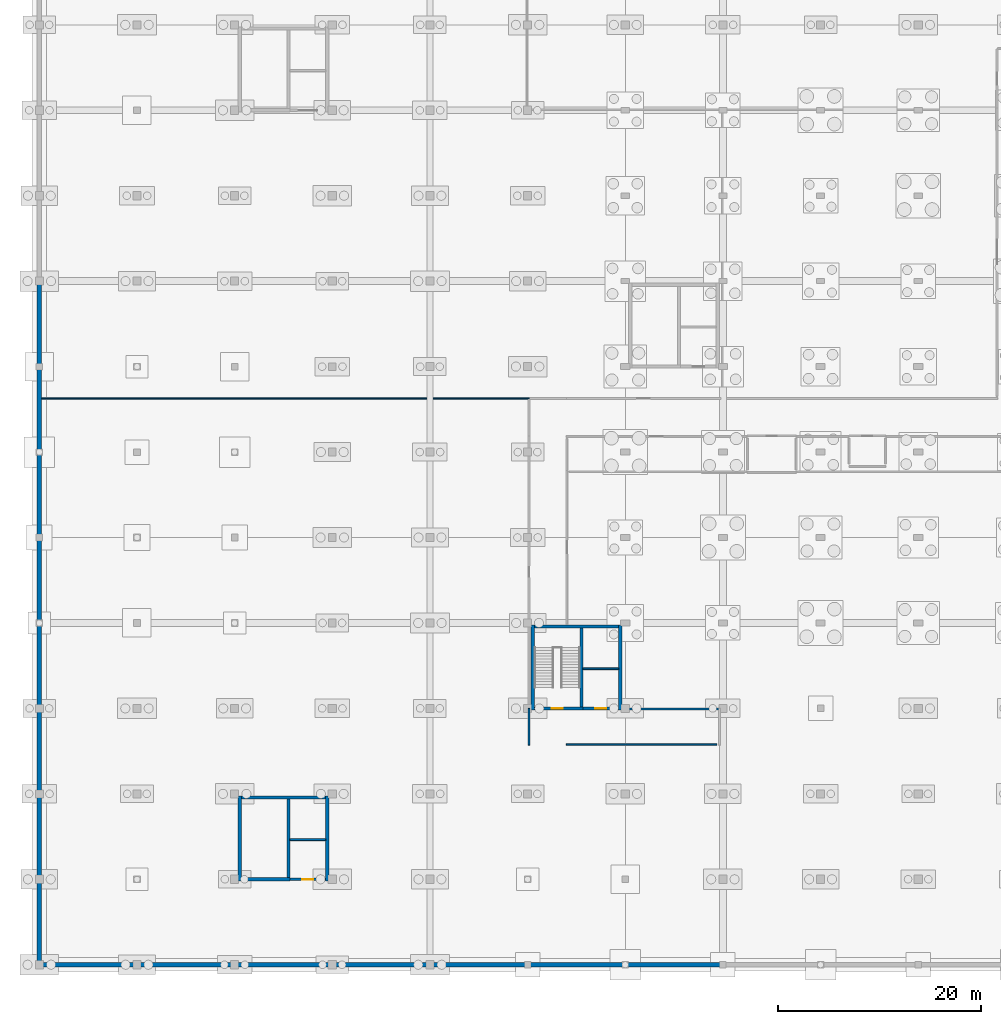
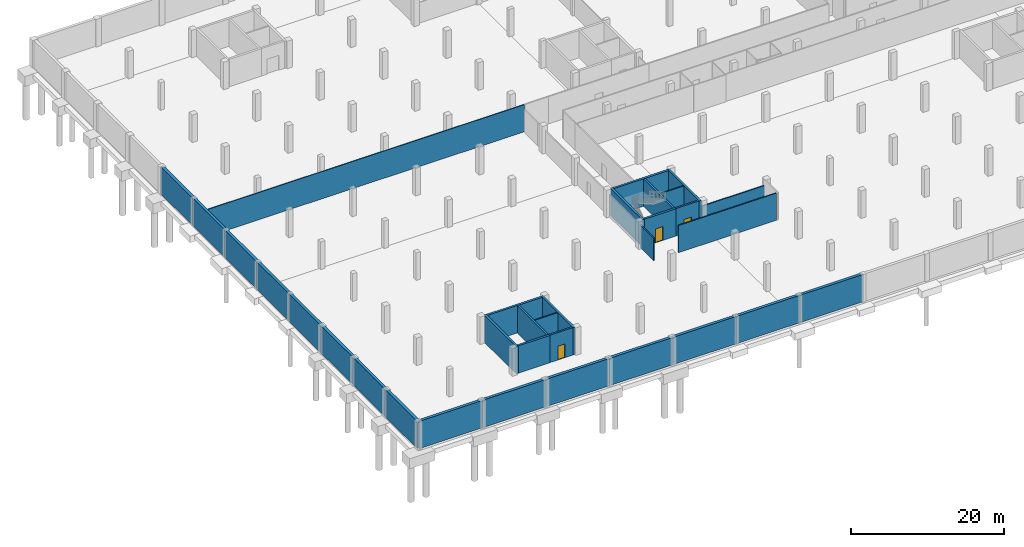
# One storey, part 17 of 26: 33 walls, 3 doors, 3 openings.
"""IFC4 building model written with IfcOpenShell, lengths in metres."""

import ifcopenshell
import ifcopenshell.guid

model = None  # the IFC model being written
_history = None  # IfcOwnerHistory: only IFC2X3 demands one
_inside = {}  # id of a spatial element -> (the spatial element, [elements in it])
_under = {}  # id of a project, library or spatial element -> (it, [spatial elements below it])
_declared = {}  # id of a project -> (the project, [libraries it declares])
_typed = {}  # id of a type object -> (the type object, [elements of that type])
_made_of = {}  # id of a material, layer set ... -> (it, [elements and type objects made of it])


def new_model(schema):
    """Start an empty IFC model of exactly this schema.

    Asked for "IFC4X3", IfcOpenShell would pick the latest addendum, in which some entities
    have other attributes; the version numbers below select the first issue.
    IFC2X3 requires an IfcOwnerHistory on every rooted entity: one is made here for all.
    """
    global model, _history
    if schema == "IFC4X3":
        model = ifcopenshell.file(schema_version=(4, 3, 0, 0))
    else:
        model = ifcopenshell.file(schema=schema)
    _inside.clear()
    _under.clear()
    _declared.clear()
    _typed.clear()
    _made_of.clear()
    _history = None
    if model.schema == "IFC2X3":
        org = make("IfcOrganization", Name="unknown")
        user = make(
            "IfcPersonAndOrganization",
            ThePerson=make("IfcPerson", FamilyName="unknown"),
            TheOrganization=org,
        )
        app = make(
            "IfcApplication",
            ApplicationDeveloper=org,
            Version="unknown",
            ApplicationFullName="unknown",
            ApplicationIdentifier="unknown",
        )
        _history = make(
            "IfcOwnerHistory",
            OwningUser=user,
            OwningApplication=app,
            ChangeAction="ADDED",
            CreationDate=0,
        )
    return model


def make(cls, **values):
    """One entity of the class cls with the attributes given. An attribute that is None is left unset."""
    return model.create_entity(
        cls, **{name: value for name, value in values.items() if value is not None}
    )


def rooted(cls, **values):
    """An entity with a GlobalId (a new one), such as an element, a storey or a relation."""
    return make(cls, GlobalId=ifcopenshell.guid.new(), OwnerHistory=_history, **values)


def si_unit(unit_type, name, prefix=None):
    """IfcSIUnit, for example si_unit("LENGTHUNIT", "METRE", prefix="MILLI")."""
    return make("IfcSIUnit", UnitType=unit_type, Prefix=prefix, Name=name)


def assignment(units):
    """IfcUnitAssignment: the units of a project."""
    return None if units is None else make("IfcUnitAssignment", Units=units)


def point(xyz):
    """IfcCartesianPoint."""
    return None if xyz is None else make("IfcCartesianPoint", Coordinates=xyz)


def direction(xyz):
    """IfcDirection."""
    return None if xyz is None else make("IfcDirection", DirectionRatios=xyz)


def frame(location, z_axis=None, x_axis=None):
    """IfcAxis2Placement3D, a coordinate frame: its origin and axes. An axis left out is left unset."""
    return make(
        "IfcAxis2Placement3D",
        Location=point(location),
        Axis=direction(z_axis),
        RefDirection=direction(x_axis),
    )


def frame_2d(location, x_axis=None):
    """IfcAxis2Placement2D, a coordinate frame in the plane: its origin and x axis."""
    return make(
        "IfcAxis2Placement2D", Location=point(location), RefDirection=direction(x_axis)
    )


def origin():
    """The frame at (0, 0, 0) with its axes left unset."""
    return frame((0.0, 0.0, 0.0))


def place(relative_to, where):
    """IfcLocalPlacement: puts the frame where relative to a parent placement (None: the world)."""
    return make(
        "IfcLocalPlacement", PlacementRelTo=relative_to, RelativePlacement=where
    )


def context(
    kind, dimensions, precision=None, world=None, true_north=None, identifier=None
):
    """IfcGeometricRepresentationContext, for example the 3D "Model" context."""
    return make(
        "IfcGeometricRepresentationContext",
        ContextIdentifier=identifier,
        ContextType=kind,
        CoordinateSpaceDimension=dimensions,
        Precision=precision,
        WorldCoordinateSystem=world,
        TrueNorth=true_north,
    )


def subcontext(parent, identifier, kind, view, scale=None):
    """IfcGeometricRepresentationSubContext, for example "Body" below "Model"."""
    return make(
        "IfcGeometricRepresentationSubContext",
        ContextIdentifier=identifier,
        ContextType=kind,
        ParentContext=parent,
        TargetScale=scale,
        TargetView=view,
    )


def project(units=None, contexts=None):
    """IfcProject with its units and contexts."""
    return rooted(
        "IfcProject",
        Name="project",
        RepresentationContexts=contexts,
        UnitsInContext=assignment(units),
    )


def spatial(cls, under=None, at=None, **own):
    """A site, building, storey or space (cls), placed at a placement, below another one or the project."""
    s = rooted(cls, ObjectPlacement=at, **own)
    if under is not None:
        _under.setdefault(under.id(), (under, []))[1].append(s)
    return s


def profile(cls, at=None, kind="AREA", **sizes):
    """A parametric profile (cls). Its sizes go by their IFC names, for example OverallWidth=200.0."""
    return make(cls, ProfileType=kind, Position=at, **sizes)


def rectangle(**sizes):
    """IfcRectangleProfileDef."""
    return profile("IfcRectangleProfileDef", **sizes)


def extrude(swept, where, along, depth):
    """IfcExtrudedAreaSolid: the profile swept, set in the frame where, extruded along a direction by depth."""
    return make(
        "IfcExtrudedAreaSolid",
        SweptArea=swept,
        Position=where,
        ExtrudedDirection=direction(along),
        Depth=depth,
    )


def shape(context_of_items, identifier, shape_type, items):
    """IfcShapeRepresentation: the items that make up one representation, for example the "Body"."""
    return make(
        "IfcShapeRepresentation",
        ContextOfItems=context_of_items,
        RepresentationIdentifier=identifier,
        RepresentationType=shape_type,
        Items=items,
    )


def material(Name=None, Category=None):
    """IfcMaterial."""
    return make("IfcMaterial", Name=Name, Category=Category)


def layer(
    of_material, thickness, ventilated=None, Name=None, Category=None, Priority=None
):
    """IfcMaterialLayer: one layer of a wall or slab, of a material (None: an air gap)."""
    return make(
        "IfcMaterialLayer",
        Material=of_material,
        LayerThickness=thickness,
        IsVentilated=ventilated,
        Name=Name,
        Category=Category,
        Priority=Priority,
    )


def layer_set(layers, Name=None):
    """IfcMaterialLayerSet."""
    return make("IfcMaterialLayerSet", MaterialLayers=layers, LayerSetName=Name)


def made_of(thing, what):
    """Note that an element or type object is made of a material, layer set ...; save() writes the relation."""
    if what is not None:
        _made_of.setdefault(what.id(), (what, []))[1].append(thing)
    return thing


def type_object(cls, material=None, **own):
    """A type object (cls), such as IfcWallType, which elements share."""
    return made_of(rooted(cls, **own), material)


def element(
    cls,
    number,
    at=None,
    inside=None,
    cuts=None,
    type_object=None,
    material=None,
    context=None,
    identifier="Body",
    shape_type=None,
    held_by="IfcProductDefinitionShape",
    body=None,
    shapes=None,
    **own,
):
    """One element of the class cls, such as IfcWall. Its Tag is "e" and its number.

    at: its placement. inside: the storey or other place that contains it. cuts: it is an
    opening in that element (IfcRelVoidsElement). A single representation is given by context,
    identifier, shape_type and body (its items); several are given by shapes. held_by: the class
    of the entity that holds the representations. save() writes the other relations.
    """
    e = rooted(cls, Tag="e%d" % number, ObjectPlacement=at, **own)
    if body is not None:
        shapes = [shape(context, identifier, shape_type, body)]
    if shapes is not None:
        e.Representation = make(held_by, Representations=shapes)
    if inside is not None:
        _inside.setdefault(inside.id(), (inside, []))[1].append(e)
    if cuts is not None:
        rooted(
            "IfcRelVoidsElement", RelatingBuildingElement=cuts, RelatedOpeningElement=e
        )
    if type_object is not None:
        _typed.setdefault(type_object.id(), (type_object, []))[1].append(e)
    return made_of(e, material)


def fill(opening, filler):
    """IfcRelFillsElement: the door or window that sits in an opening."""
    return rooted(
        "IfcRelFillsElement",
        RelatingOpeningElement=opening,
        RelatedBuildingElement=filler,
    )


def aggregate(whole, parts):
    """IfcRelAggregates: a whole, such as a stair, and the parts it consists of."""
    return rooted("IfcRelAggregates", RelatingObject=whole, RelatedObjects=parts)


def save(model, path):
    """Write the relations noted so far, then the file.

    IfcRelAggregates (storeys below a building ...), IfcRelContainedInSpatialStructure (elements
    in a storey), IfcRelDefinesByType, IfcRelAssociatesMaterial and IfcRelDeclares: one each for
    every whole, place, type object, material and project.
    """
    for whole, parts in _under.values():
        aggregate(whole, parts)
    for where, things in _inside.values():
        rooted(
            "IfcRelContainedInSpatialStructure",
            RelatedElements=things,
            RelatingStructure=where,
        )
    for kind, things in _typed.values():
        rooted("IfcRelDefinesByType", RelatedObjects=things, RelatingType=kind)
    for what, things in _made_of.values():
        rooted("IfcRelAssociatesMaterial", RelatedObjects=things, RelatingMaterial=what)
    for by, libraries in _declared.values():
        rooted("IfcRelDeclares", RelatingContext=by, RelatedDefinitions=libraries)
    model.write(path)


model = new_model("IFC4")

# Units and contexts
model_context = context("Model", 3, precision=1e-05, world=origin(), true_north=direction((0.0, 1.0)))
body_context = subcontext(model_context, "Body", "Model", "MODEL_VIEW")
ifc_project = project(units=[si_unit("LENGTHUNIT", "METRE"), si_unit("AREAUNIT", "SQUARE_METRE"), si_unit("VOLUMEUNIT", "CUBIC_METRE"), si_unit("PLANEANGLEUNIT", "RADIAN"), si_unit("MASSUNIT", "GRAM", prefix="KILO")], contexts=[model_context])

# Site, building, storey
site_placement = place(None, origin())
site = spatial("IfcSite", under=ifc_project, at=site_placement, CompositionType="ELEMENT")
building_placement = place(site_placement, origin())
building = spatial("IfcBuilding", under=site, at=building_placement, Name="Lornevale Opera House", CompositionType="ELEMENT")
storey_placement = place(building_placement, frame((0.0, 0.0, -9.60009765625)))
storey = spatial("IfcBuildingStorey", under=building, at=storey_placement, Name="B2", CompositionType="ELEMENT", Elevation=-9.60009765625)

# Walls
ifc_material_1 = material(Name="Concrete 40 MPa (CSA A23.1 C-1)", Category="concrete")
ifc_layer_1 = layer(ifc_material_1, 0.419921875)
ifc_layer_set_1 = layer_set([ifc_layer_1], Name="Concrete 40 MPa (CSA A23.1 C-1)")
wall_type_1 = type_object("IfcWallType", Name="Basement Retaining Wall 420", PredefinedType="USERDEFINED", material=ifc_layer_set_1)
wall_1_placement = place(storey_placement, frame((9.60009765625, 0.0, 0.0), z_axis=(0.0, 0.0, 1.0), x_axis=(-1.0, 0.0, 0.0)))
element("IfcWall", 1, at=wall_1_placement, inside=storey, type_object=wall_type_1, Name="Basement Escarpment Plinth Wall WL-EXT-0001", ObjectType="RETAINING WALL", PredefinedType="USERDEFINED", context=body_context, shape_type="SweptSolid", body=[
    extrude(rectangle(XDim=9.60009765625, YDim=0.419921875, at=frame_2d((4.800048828125, 0.0))), origin(), (0.0, 0.0, 1.0), 4.380126953125),
])
wall_2_placement = place(storey_placement, frame((0.0, 0.0, 0.0), z_axis=(0.0, 0.0, 1.0), x_axis=(0.0, 1.0, 0.0)))
element("IfcWall", 2, at=wall_2_placement, inside=storey, type_object=wall_type_1, Name="Basement Escarpment Plinth Wall WL-EXT-0002", ObjectType="RETAINING WALL", PredefinedType="USERDEFINED", context=body_context, shape_type="SweptSolid", body=[
    extrude(rectangle(XDim=8.39990234375, YDim=0.419921875, at=frame_2d((4.199951171875, 0.0))), origin(), (0.0, 0.0, 1.0), 4.380126953125),
])
wall_3_placement = place(storey_placement, frame((0.0, 8.39990234375, 0.0), z_axis=(0.0, 0.0, 1.0), x_axis=(0.0, 1.0, 0.0)))
element("IfcWall", 3, at=wall_3_placement, inside=storey, type_object=wall_type_1, Name="Basement Escarpment Plinth Wall WL-EXT-0003", ObjectType="RETAINING WALL", PredefinedType="USERDEFINED", context=body_context, shape_type="SweptSolid", body=[
    extrude(rectangle(XDim=8.400146484375, YDim=0.419921875, at=frame_2d((4.2001953125, 0.0))), origin(), (0.0, 0.0, 1.0), 4.380126953125),
])
wall_4_placement = place(storey_placement, frame((0.0, 16.800048828125, 0.0), z_axis=(0.0, 0.0, 1.0), x_axis=(0.0, 1.0, 0.0)))
element("IfcWall", 4, at=wall_4_placement, inside=storey, type_object=wall_type_1, Name="Basement Escarpment Plinth Wall WL-EXT-0004", ObjectType="RETAINING WALL", PredefinedType="USERDEFINED", context=body_context, shape_type="SweptSolid", body=[
    extrude(rectangle(XDim=8.39990234375, YDim=0.419921875, at=frame_2d((4.199951171875, 0.0))), origin(), (0.0, 0.0, 1.0), 4.380126953125),
])
wall_5_placement = place(storey_placement, frame((0.0, 25.199951171875, 0.0), z_axis=(0.0, 0.0, 1.0), x_axis=(0.0, 1.0, 0.0)))
element("IfcWall", 5, at=wall_5_placement, inside=storey, type_object=wall_type_1, Name="Basement Escarpment Plinth Wall WL-EXT-0005", ObjectType="RETAINING WALL", PredefinedType="USERDEFINED", context=body_context, shape_type="SweptSolid", body=[
    extrude(rectangle(XDim=8.400146484375, YDim=0.419921875, at=frame_2d((4.2001953125, 0.0))), origin(), (0.0, 0.0, 1.0), 4.380126953125),
])
for number, where, z_axis, x_axis, name in (
    (6, (0.0, 33.60009765625, 0.0), (0.0, 0.0, 1.0), (0.0, 1.0, 0.0), "Basement Escarpment Plinth Wall WL-EXT-0006"),
    (7, (0.0, 42.0, 0.0), (0.0, 0.0, 1.0), (0.0, 1.0, 0.0), "Basement Escarpment Plinth Wall WL-EXT-0007"),
):
    element("IfcWall", number, at=place(storey_placement, frame(where, z_axis=z_axis, x_axis=x_axis)), inside=storey, type_object=wall_type_1, Name=name, ObjectType="RETAINING WALL", PredefinedType="USERDEFINED", context=body_context, shape_type="SweptSolid", body=[
        extrude(rectangle(XDim=8.39990234375, YDim=0.419921875, at=frame_2d((4.199951171875, 0.0))), origin(), (0.0, 0.0, 1.0), 4.380126953125),
    ])
wall_6_placement = place(storey_placement, frame((0.0, 50.39990234375, 0.0), z_axis=(0.0, 0.0, 1.0), x_axis=(0.0, 1.0, 0.0)))
element("IfcWall", 8, at=wall_6_placement, inside=storey, type_object=wall_type_1, Name="Basement Escarpment Plinth Wall WL-EXT-0008", ObjectType="RETAINING WALL", PredefinedType="USERDEFINED", context=body_context, shape_type="SweptSolid", body=[
    extrude(rectangle(XDim=8.400146484375, YDim=0.419921875, at=frame_2d((4.2001953125, 0.0))), origin(), (0.0, 0.0, 1.0), 4.380126953125),
])
wall_7_placement = place(storey_placement, frame((0.0, 58.800048828125, 0.0), z_axis=(0.0, 0.0, 1.0), x_axis=(0.0, 1.0, 0.0)))
element("IfcWall", 9, at=wall_7_placement, inside=storey, type_object=wall_type_1, Name="Basement Escarpment Plinth Wall WL-EXT-0009", ObjectType="RETAINING WALL", PredefinedType="USERDEFINED", context=body_context, shape_type="SweptSolid", body=[
    extrude(rectangle(XDim=8.39990234375, YDim=0.419921875, at=frame_2d((4.199951171875, 0.0))), origin(), (0.0, 0.0, 1.0), 4.380126953125),
])
wall_8_placement = place(storey_placement, frame((19.199951171875, 0.0, 0.0), z_axis=(0.0, 0.0, 1.0), x_axis=(-1.0, 0.0, 0.0)))
element("IfcWall", 10, at=wall_8_placement, inside=storey, type_object=wall_type_1, Name="Basement Escarpment Plinth Wall WL-EXT-0015", ObjectType="RETAINING WALL", PredefinedType="USERDEFINED", context=body_context, shape_type="SweptSolid", body=[
    extrude(rectangle(XDim=9.599853515625, YDim=0.419921875, at=frame_2d((4.7998046875, 0.0))), origin(), (0.0, 0.0, 1.0), 4.380126953125),
])
wall_9_placement = place(storey_placement, frame((28.800048828125, 0.0, 0.0), z_axis=(0.0, 0.0, 1.0), x_axis=(-1.0, 0.0, 0.0)))
element("IfcWall", 11, at=wall_9_placement, inside=storey, type_object=wall_type_1, Name="Basement Escarpment Plinth Wall WL-EXT-0017", ObjectType="RETAINING WALL", PredefinedType="USERDEFINED", context=body_context, shape_type="SweptSolid", body=[
    extrude(rectangle(XDim=9.60009765625, YDim=0.419921875, at=frame_2d((4.800048828125, 0.0))), origin(), (0.0, 0.0, 1.0), 4.380126953125),
])
wall_10_placement = place(storey_placement, frame((38.39990234375, 0.0, 0.0), z_axis=(0.0, 0.0, 1.0), x_axis=(-1.0, 0.0, 0.0)))
element("IfcWall", 12, at=wall_10_placement, inside=storey, type_object=wall_type_1, Name="Basement Escarpment Plinth Wall WL-EXT-0019", ObjectType="RETAINING WALL", PredefinedType="USERDEFINED", context=body_context, shape_type="SweptSolid", body=[
    extrude(rectangle(XDim=9.599853515625, YDim=0.419921875, at=frame_2d((4.7998046875, 0.0))), origin(), (0.0, 0.0, 1.0), 4.380126953125),
])
for number, where, z_axis, x_axis, name in (
    (13, (48.0, 0.0, 0.0), (0.0, 0.0, 1.0), (-1.0, 0.0, 0.0), "Basement Escarpment Plinth Wall WL-EXT-0021"),
    (14, (57.60009765625, 0.0, 0.0), (0.0, 0.0, 1.0), (-1.0, 0.0, 0.0), "Basement Escarpment Plinth Wall WL-EXT-0025"),
):
    element("IfcWall", number, at=place(storey_placement, frame(where, z_axis=z_axis, x_axis=x_axis)), inside=storey, type_object=wall_type_1, Name=name, ObjectType="RETAINING WALL", PredefinedType="USERDEFINED", context=body_context, shape_type="SweptSolid", body=[
        extrude(rectangle(XDim=9.60009765625, YDim=0.419921875, at=frame_2d((4.800048828125, 0.0))), origin(), (0.0, 0.0, 1.0), 4.380126953125),
    ])
wall_11_placement = place(storey_placement, frame((67.199951171875, 0.0, 0.0), z_axis=(0.0, 0.0, 1.0), x_axis=(-1.0, 0.0, 0.0)))
element("IfcWall", 15, at=wall_11_placement, inside=storey, type_object=wall_type_1, Name="Basement Escarpment Plinth Wall WL-EXT-0027", ObjectType="RETAINING WALL", PredefinedType="USERDEFINED", context=body_context, shape_type="SweptSolid", body=[
    extrude(rectangle(XDim=9.599853515625, YDim=0.419921875, at=frame_2d((4.7998046875, 0.0))), origin(), (0.0, 0.0, 1.0), 4.380126953125),
])

# Wall, opening, door
ifc_layer_2 = layer(ifc_material_1, 0.320068359375)
ifc_layer_set_2 = layer_set([ifc_layer_2], Name="Concrete 40 MPa (CSA A23.1 C-1)")
wall_type_2 = type_object("IfcWallType", Name="Core Shear Wall 320", PredefinedType="SHEAR", material=ifc_layer_set_2)
wall_12_placement = place(storey_placement, frame((48.659912109375, 25.199951171875, 0.0), z_axis=(0.0, 0.0, 1.0), x_axis=(1.0, 0.0, 0.0)))
wall_12 = element("IfcWall", 16, at=wall_12_placement, inside=storey, type_object=wall_type_2, Name="South-West Foyer Core Core Shear Wall 320 WL-COR-0001", PredefinedType="SHEAR", context=body_context, shape_type="SweptSolid", body=[
    extrude(rectangle(XDim=4.780029296875, YDim=0.320068359375, at=frame_2d((2.39013671875, 0.0))), origin(), (0.0, 0.0, 1.0), 4.380126953125),
])
opening_1_placement = place(wall_12_placement, frame((1.68994140625, 0.0, 0.0)))
opening_1 = element("IfcOpeningElement", 17, at=opening_1_placement, cuts=wall_12, Name="Opening DR-T10", PredefinedType="OPENING", context=body_context, shape_type="SweptSolid", body=[
    extrude(rectangle(XDim=1.10009765625, YDim=2.199951171875, at=frame_2d((0.550048828125, 1.10009765625))), frame((0.0, 0.169921875, 0.0), z_axis=(0.0, -1.0, 0.0), x_axis=(1.0, 0.0, 0.0)), (0.0, 0.0, 1.0), 0.340087890625),
])
ifc_material_2 = material(Name="Painted Hollow Metal Door Steel", Category="steel")
ifc_layer_3 = layer(ifc_material_2, 2.199951171875)
ifc_layer_set_3 = layer_set([ifc_layer_3], Name="Painted Hollow Metal Door Steel")
door_type_1 = type_object("IfcDoorType", Name="Protected Exit Stair Door L 1100x2200", OperationType="NOTDEFINED", PredefinedType="DOOR", material=ifc_layer_set_3)
door_1_placement = place(opening_1_placement, origin())
door_1 = element("IfcDoor", 18, at=door_1_placement, inside=storey, type_object=door_type_1, Name="C1 Stair Door B2", OperationType="SINGLE_SWING_LEFT", OverallHeight=2.199951171875, OverallWidth=1.10009765625, PredefinedType="DOOR", context=body_context, shape_type="SweptSolid", body=[
    extrude(rectangle(XDim=1.10009765625, YDim=2.199951171875, at=frame_2d((0.550048828125, 1.10009765625))), frame((0.0, 0.02490234375, 0.0), z_axis=(0.0, -1.0, 0.0), x_axis=(1.0, 0.0, 0.0)), (0.0, 0.0, 1.0), 0.050048828125),
])
fill(opening_1, door_1)

# Walls
wall_13_placement = place(storey_placement, frame((56.93994140625, 33.239990234375, 0.0), z_axis=(0.0, 0.0, 1.0), x_axis=(-1.0, 0.0, 0.0)))
element("IfcWall", 19, at=wall_13_placement, inside=storey, type_object=wall_type_2, Name="South-West Foyer Core Core Shear Wall 320 WL-COR-0003", PredefinedType="SHEAR", context=body_context, shape_type="SweptSolid", body=[
    extrude(rectangle(XDim=8.280029296875, YDim=0.320068359375, at=frame_2d((4.14013671875, 0.0))), origin(), (0.0, 0.0, 1.0), 4.380126953125),
])
for number, where, z_axis, x_axis, name in (
    (20, (48.5, 33.39990234375, 0.0), (0.0, 0.0, 1.0), (0.0, -1.0, 0.0), "South-West Foyer Core Core Shear Wall 320 WL-COR-0004"),
    (21, (57.10009765625, 25.0400390625, 0.0), (0.0, 0.0, 1.0), (0.0, 1.0, 0.0), "South-West Foyer Core Core Shear Wall 320 WL-COR-0005"),
):
    element("IfcWall", number, at=place(storey_placement, frame(where, z_axis=z_axis, x_axis=x_axis)), inside=storey, type_object=wall_type_2, Name=name, PredefinedType="SHEAR", context=body_context, shape_type="SweptSolid", body=[
        extrude(rectangle(XDim=8.35986328125, YDim=0.320068359375, at=frame_2d((4.179931640625, 0.0))), origin(), (0.0, 0.0, 1.0), 4.380126953125),
    ])
wall_14_placement = place(storey_placement, frame((19.860107421875, 8.39990234375, 0.0), z_axis=(0.0, 0.0, 1.0), x_axis=(1.0, 0.0, 0.0)))
element("IfcWall", 22, at=wall_14_placement, inside=storey, type_object=wall_type_2, Name="Chamber Pavilion Core Core Shear Wall 320 WL-COR-0078", PredefinedType="SHEAR", context=body_context, shape_type="SweptSolid", body=[
    extrude(rectangle(XDim=4.77978515625, YDim=0.320068359375, at=frame_2d((2.389892578125, 0.0))), origin(), (0.0, 0.0, 1.0), 4.380126953125),
])
wall_15_placement = place(storey_placement, frame((28.139892578125, 16.43994140625, 0.0), z_axis=(0.0, 0.0, 1.0), x_axis=(-1.0, 0.0, 0.0)))
element("IfcWall", 23, at=wall_15_placement, inside=storey, type_object=wall_type_2, Name="Chamber Pavilion Core Core Shear Wall 320 WL-COR-0080", PredefinedType="SHEAR", context=body_context, shape_type="SweptSolid", body=[
    extrude(rectangle(XDim=8.27978515625, YDim=0.320068359375, at=frame_2d((4.139892578125, 0.0))), origin(), (0.0, 0.0, 1.0), 4.380126953125),
])
for number, where, z_axis, x_axis, name in (
    (24, (19.699951171875, 16.60009765625, 0.0), (0.0, 0.0, 1.0), (0.0, -1.0, 0.0), "Chamber Pavilion Core Core Shear Wall 320 WL-COR-0081"),
    (25, (28.300048828125, 8.239990234375, 0.0), (0.0, 0.0, 1.0), (0.0, 1.0, 0.0), "Chamber Pavilion Core Core Shear Wall 320 WL-COR-0082"),
):
    element("IfcWall", number, at=place(storey_placement, frame(where, z_axis=z_axis, x_axis=x_axis)), inside=storey, type_object=wall_type_2, Name=name, PredefinedType="SHEAR", context=body_context, shape_type="SweptSolid", body=[
        extrude(rectangle(XDim=8.360107421875, YDim=0.320068359375, at=frame_2d((4.18017578125, 0.0))), origin(), (0.0, 0.0, 1.0), 4.380126953125),
    ])
ifc_material_3 = material(Name="Acoustic Mineral-Core Gypsum Partition", Category="gypsum")
ifc_layer_4 = layer(ifc_material_3, 0.1650390625)
ifc_layer_set_4 = layer_set([ifc_layer_4], Name="Acoustic Mineral-Core Gypsum Partition")
wall_type_3 = type_object("IfcWallType", Name="Corridor Rated Partition 165", PredefinedType="PARTITIONING", material=ifc_layer_set_4)
wall_16_placement = place(storey_placement, frame((48.139892578125, 21.60009765625, 0.0), z_axis=(0.0, 0.0, 1.0), x_axis=(0.0, 1.0, 0.0)))
element("IfcWall", 26, at=wall_16_placement, inside=storey, type_object=wall_type_3, Name="B2 Partition WL-INT-0530", PredefinedType="PARTITIONING", context=body_context, shape_type="SweptSolid", body=[
    extrude(rectangle(XDim=3.599853515625, YDim=0.1650390625, at=frame_2d((1.7998046875, 0.0))), origin(), (0.0, 0.0, 1.0), 3.630126953125),
])
wall_17_placement = place(storey_placement, frame((57.35009765625, 25.139892578125, 0.0), z_axis=(0.0, 0.0, 1.0), x_axis=(1.0, 0.0, 0.0)))
element("IfcWall", 27, at=wall_17_placement, inside=storey, type_object=wall_type_3, Name="B2 Partition WL-INT-0534", PredefinedType="PARTITIONING", context=body_context, shape_type="SweptSolid", body=[
    extrude(rectangle(XDim=9.449951171875, YDim=0.1650390625, at=frame_2d((4.72509765625, 0.0))), origin(), (0.0, 0.0, 1.0), 3.380126953125),
])
wall_18_placement = place(storey_placement, frame((51.800048828125, 21.659912109375, 0.0), z_axis=(0.0, 0.0, 1.0), x_axis=(1.0, 0.0, 0.0)))
element("IfcWall", 28, at=wall_18_placement, inside=storey, type_object=wall_type_3, Name="B2 Partition WL-INT-0536", PredefinedType="PARTITIONING", context=body_context, shape_type="SweptSolid", body=[
    extrude(rectangle(XDim=14.81005859375, YDim=0.1650390625, at=frame_2d((7.405029296875, 0.0))), origin(), (0.0, 0.0, 1.0), 4.35009765625),
])
ifc_layer_5 = layer(ifc_material_3, 0.125)
ifc_layer_set_5 = layer_set([ifc_layer_5], Name="Acoustic Mineral-Core Gypsum Partition")
wall_type_4 = type_object("IfcWallType", Name="Dressing Suite Partition 125", PredefinedType="PARTITIONING", material=ifc_layer_set_5)
wall_19_placement = place(storey_placement, frame((0.25, 55.659912109375, 0.0), z_axis=(0.0, 0.0, 1.0), x_axis=(1.0, 0.0, 0.0)))
element("IfcWall", 29, at=wall_19_placement, inside=storey, type_object=wall_type_4, Name="B2 Partition WL-INT-0569", PredefinedType="PARTITIONING", context=body_context, shape_type="SweptSolid", body=[
    extrude(rectangle(XDim=47.889892578125, YDim=0.125, at=frame_2d((23.94482421875, 0.0))), origin(), (0.0, 0.0, 1.0), 4.35009765625),
])

# Wall, opening, door
ifc_layer_6 = layer(ifc_material_1, 0.280029296875)
ifc_layer_set_6 = layer_set([ifc_layer_6], Name="Concrete 40 MPa (CSA A23.1 C-1)")
wall_type_5 = type_object("IfcWallType", Name="Elevator Shaft Wall 280", PredefinedType="SHEAR", material=ifc_layer_set_6)
wall_20_placement = place(storey_placement, frame((53.43994140625, 25.199951171875, 0.0), z_axis=(0.0, 0.0, 1.0), x_axis=(1.0, 0.0, 0.0)))
wall_20 = element("IfcWall", 30, at=wall_20_placement, inside=storey, type_object=wall_type_5, Name="South-West Foyer Core Elevator Shaft Wall 280 WL-COR-0002", PredefinedType="SHEAR", context=body_context, shape_type="SweptSolid", body=[
    extrude(rectangle(XDim=3.5, YDim=0.280029296875, at=frame_2d((1.75, 0.0))), origin(), (0.0, 0.0, 1.0), 4.380126953125),
])
opening_2_placement = place(wall_20_placement, frame((1.2099609375, 0.0, 0.0)))
opening_2 = element("IfcOpeningElement", 31, at=opening_2_placement, cuts=wall_20, Name="Opening DR-T25", PredefinedType="OPENING", context=body_context, shape_type="SweptSolid", body=[
    extrude(rectangle(XDim=1.10009765625, YDim=2.199951171875, at=frame_2d((0.550048828125, 1.10009765625))), frame((0.0, 0.14990234375, 0.0), z_axis=(0.0, -1.0, 0.0), x_axis=(1.0, 0.0, 0.0)), (0.0, 0.0, 1.0), 0.300048828125),
])
ifc_layer_7 = layer(ifc_material_2, 2.199951171875)
ifc_layer_set_7 = layer_set([ifc_layer_7], Name="Painted Hollow Metal Door Steel")
door_type_2 = type_object("IfcDoorType", Name="Passenger Lift Landing Door 1100x2200", OperationType="NOTDEFINED", PredefinedType="DOOR", material=ifc_layer_set_7)
door_2_placement = place(opening_2_placement, origin())
door_2 = element("IfcDoor", 32, at=door_2_placement, inside=storey, type_object=door_type_2, Name="L-P1 Landing Door B2", OperationType="SLIDING_TO_LEFT", OverallHeight=2.199951171875, OverallWidth=1.10009765625, PredefinedType="DOOR", context=body_context, shape_type="SweptSolid", body=[
    extrude(rectangle(XDim=1.10009765625, YDim=2.199951171875, at=frame_2d((0.550048828125, 1.10009765625))), frame((0.0, 0.02490234375, 0.0), z_axis=(0.0, -1.0, 0.0), x_axis=(1.0, 0.0, 0.0)), (0.0, 0.0, 1.0), 0.050048828125),
])
fill(opening_2, door_2)

# Wall
wall_21_placement = place(storey_placement, frame((53.300048828125, 25.360107421875, 0.0), z_axis=(0.0, 0.0, 1.0), x_axis=(0.0, 1.0, 0.0)))
element("IfcWall", 33, at=wall_21_placement, inside=storey, type_object=wall_type_5, Name="South-West Foyer Core Elevator Shaft Wall 280 WL-COR-0006", PredefinedType="SHEAR", context=body_context, shape_type="SweptSolid", body=[
    extrude(rectangle(XDim=7.719970703125, YDim=0.280029296875, at=frame_2d((3.85986328125, 0.0))), origin(), (0.0, 0.0, 1.0), 4.380126953125),
])

# Wall, opening, door
wall_22_placement = place(storey_placement, frame((24.639892578125, 8.39990234375, 0.0), z_axis=(0.0, 0.0, 1.0), x_axis=(1.0, 0.0, 0.0)))
wall_22 = element("IfcWall", 34, at=wall_22_placement, inside=storey, type_object=wall_type_5, Name="Chamber Pavilion Core Elevator Shaft Wall 280 WL-COR-0079", PredefinedType="SHEAR", context=body_context, shape_type="SweptSolid", body=[
    extrude(rectangle(XDim=3.5, YDim=0.280029296875, at=frame_2d((1.75, 0.0))), origin(), (0.0, 0.0, 1.0), 4.380126953125),
])
opening_3_placement = place(wall_22_placement, frame((1.2099609375, 0.0, 0.0)))
opening_3 = element("IfcOpeningElement", 35, at=opening_3_placement, cuts=wall_22, Name="Opening DR-T25", PredefinedType="OPENING", context=body_context, shape_type="SweptSolid", body=[
    extrude(rectangle(XDim=1.10009765625, YDim=2.199951171875, at=frame_2d((0.550048828125, 1.10009765625))), frame((0.0, 0.14990234375, 0.0), z_axis=(0.0, -1.0, 0.0), x_axis=(1.0, 0.0, 0.0)), (0.0, 0.0, 1.0), 0.300048828125),
])
door_3_placement = place(opening_3_placement, origin())
door_3 = element("IfcDoor", 36, at=door_3_placement, inside=storey, type_object=door_type_2, Name="L-P3 Landing Door B2", OperationType="SLIDING_TO_LEFT", OverallHeight=2.199951171875, OverallWidth=1.10009765625, PredefinedType="DOOR", context=body_context, shape_type="SweptSolid", body=[
    extrude(rectangle(XDim=1.10009765625, YDim=2.199951171875, at=frame_2d((0.550048828125, 1.10009765625))), frame((0.0, 0.02490234375, 0.0), z_axis=(0.0, -1.0, 0.0), x_axis=(1.0, 0.0, 0.0)), (0.0, 0.0, 1.0), 0.050048828125),
])
fill(opening_3, door_3)

# Walls
wall_23_placement = place(storey_placement, frame((24.5, 8.56005859375, 0.0), z_axis=(0.0, 0.0, 1.0), x_axis=(0.0, 1.0, 0.0)))
element("IfcWall", 37, at=wall_23_placement, inside=storey, type_object=wall_type_5, Name="Chamber Pavilion Core Elevator Shaft Wall 280 WL-COR-0083", PredefinedType="SHEAR", context=body_context, shape_type="SweptSolid", body=[
    extrude(rectangle(XDim=7.719970703125, YDim=0.280029296875, at=frame_2d((3.85986328125, 0.0))), origin(), (0.0, 0.0, 1.0), 4.380126953125),
])
ifc_material_4 = material(Name="Moisture-Resistant Ceramic & Gypsum Partition", Category="gypsum")
ifc_layer_8 = layer(ifc_material_4, 0.179931640625)
ifc_layer_set_8 = layer_set([ifc_layer_8], Name="Moisture-Resistant Ceramic & Gypsum Partition")
wall_type_6 = type_object("IfcWallType", Name="Riser Shaft Wall 180", PredefinedType="SOLIDWALL", material=ifc_layer_set_8)
for number, where, z_axis, x_axis, name in (
    (38, (53.43994140625, 29.10009765625, 0.0), (0.0, 0.0, 1.0), (1.0, 0.0, 0.0), "South-West Foyer Core Riser Shaft Wall 180 WL-COR-0007"),
    (39, (24.639892578125, 12.300048828125, 0.0), (0.0, 0.0, 1.0), (1.0, 0.0, 0.0), "Chamber Pavilion Core Riser Shaft Wall 180 WL-COR-0084"),
):
    element("IfcWall", number, at=place(storey_placement, frame(where, z_axis=z_axis, x_axis=x_axis)), inside=storey, type_object=wall_type_6, Name=name, PredefinedType="SOLIDWALL", context=body_context, shape_type="SweptSolid", body=[
        extrude(rectangle(XDim=3.5, YDim=0.179931640625, at=frame_2d((1.75, 0.0))), origin(), (0.0, 0.0, 1.0), 4.380126953125),
    ])

save(model, "model.ifc")
